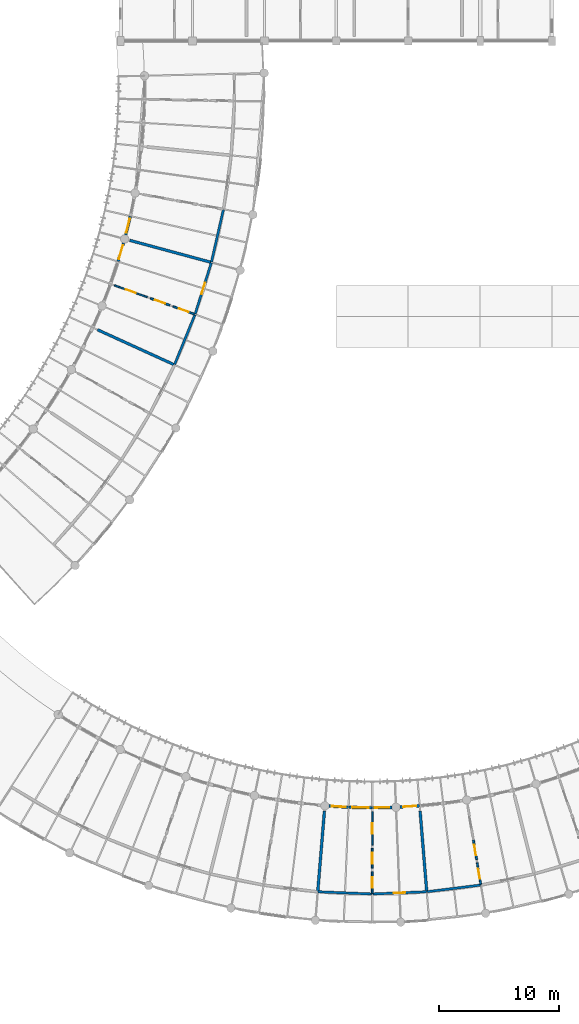
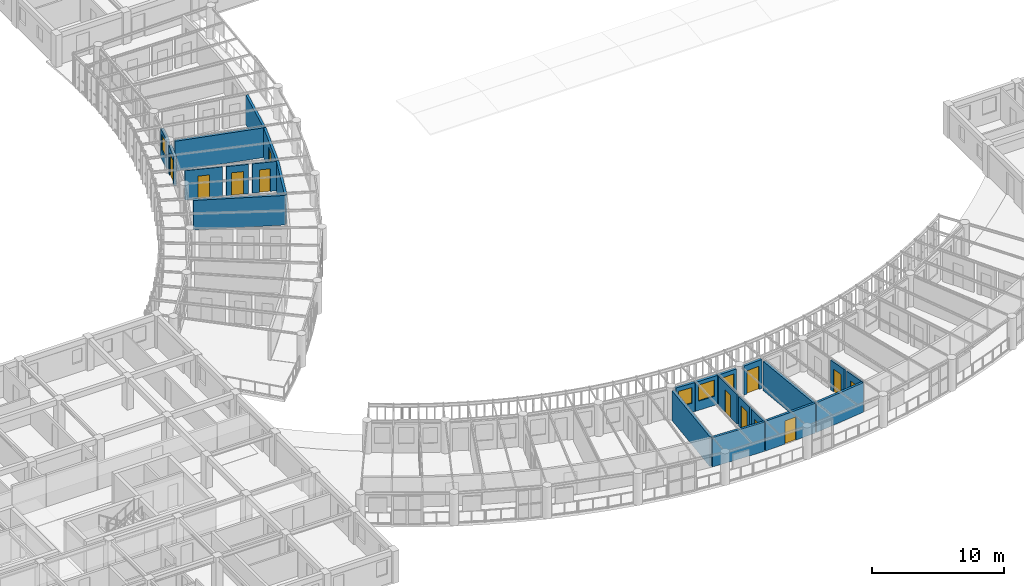
# One storey, part 61 of 100: 24 walls, 12 doors, 4 windows, 16 openings.
"""IFC4 building model written with IfcOpenShell, lengths in metres."""

from ifc_helpers import new_model, si_unit, direction, frame, frame_2d, origin, place, context, subcontext, project, spatial, rectangle, extrude, material, layer, layer_set, type_object, element, fill, save


model = new_model("IFC4")

# Units and contexts
model_context = context("Model", 3, precision=1e-05, world=origin(), true_north=direction((0.0, 1.0)))
body_context = subcontext(model_context, "Body", "Model", "MODEL_VIEW")
ifc_project = project(units=[si_unit("LENGTHUNIT", "METRE"), si_unit("AREAUNIT", "SQUARE_METRE"), si_unit("VOLUMEUNIT", "CUBIC_METRE"), si_unit("PLANEANGLEUNIT", "RADIAN"), si_unit("MASSUNIT", "GRAM", prefix="KILO"), si_unit("POWERUNIT", "WATT"), si_unit("THERMODYNAMICTEMPERATUREUNIT", "KELVIN")], contexts=[model_context])

# Site, building, storey
site_placement = place(None, origin())
site = spatial("IfcSite", under=ifc_project, at=site_placement, CompositionType="ELEMENT")
building_placement = place(site_placement, origin())
building = spatial("IfcBuilding", under=site, at=building_placement, Name="Ruvembo Vaulted Housing Court", CompositionType="ELEMENT")
storey_placement = place(building_placement, frame((0.0, 0.0, 10.89990234375)))
storey = spatial("IfcBuildingStorey", under=building, at=storey_placement, Name="L03", CompositionType="ELEMENT", Elevation=10.89990234375)

# Wall
ifc_material_1 = material(Name="Concrete Blockwork 200", Category="masonry")
ifc_layer_1 = layer(ifc_material_1, 0.199951171875, Name="Concrete Blockwork 200")
ifc_layer_set_1 = layer_set([ifc_layer_1], Name="Concrete Blockwork 200")
wall_type_1 = type_object("IfcWallType", Name="WL-CORR-200", PredefinedType="SOLIDWALL", material=ifc_layer_set_1)
wall_1_placement = place(storey_placement, frame((52.50927734375, 51.00244140625, 0.0), z_axis=(0.0, 0.0, 1.0), x_axis=(0.377413192487, 0.926044967665, 0.0)))
element("IfcWall", 1, at=wall_1_placement, inside=storey, type_object=wall_type_1, Name="L03 Suite SC1-L03-U3 Gallery Wall WL-INT-L03-00987", PredefinedType="SOLIDWALL", context=body_context, shape_type="SweptSolid", body=[
    extrude(rectangle(XDim=4.46728515625, YDim=0.199951171875, at=frame_2d((2.233642578125, 0.0))), origin(), (0.0, 0.0, 1.0), 2.76220703125),
])

# Wall, opening, door
wall_2_placement = place(storey_placement, frame((54.222412109375, 55.214599609375, 0.0), z_axis=(0.0, 0.0, 1.0), x_axis=(0.300377958446, 0.953820256694, 0.0)))
wall_2 = element("IfcWall", 2, at=wall_2_placement, inside=storey, type_object=wall_type_1, Name="L03 Suite SC1-L03-U3 Entrance WL-INT-L03-00988", PredefinedType="SOLIDWALL", context=body_context, shape_type="SweptSolid", body=[
    extrude(rectangle(XDim=4.467041015625, YDim=0.199951171875, at=frame_2d((2.2333984375, 0.0))), origin(), (0.0, 0.0, 1.0), 2.7421875),
])
opening_1_placement = place(wall_2_placement, frame((1.743408203125, 0.0, 0.0)))
opening_1 = element("IfcOpeningElement", 3, at=opening_1_placement, cuts=wall_2, Name="Opening FD2", PredefinedType="OPENING", context=body_context, shape_type="SweptSolid", body=[
    extrude(rectangle(XDim=0.97998046875, YDim=2.14990234375, at=frame_2d((0.489990234375, 1.074951171875))), frame((0.0, 0.10986328125, 0.0), z_axis=(0.0, -1.0, 0.0), x_axis=(1.0, 0.0, 0.0)), (0.0, 0.0, 1.0), 0.219970703125),
])
ifc_material_2 = material(Name="FSC Hardwood and Engineered Timber", Category="wood")
door_type_1 = type_object("IfcDoorType", Name="DR-FLAT-0980x2150", OperationType="NOTDEFINED", PredefinedType="DOOR", material=ifc_material_2)
door_1_placement = place(opening_1_placement, origin())
door_1 = element("IfcDoor", 4, at=door_1_placement, inside=storey, type_object=door_type_1, Name="L03 Suite SC1-L03-U3 Entrance Door DR-INT-L03-00544", OperationType="SINGLE_SWING_RIGHT", OverallHeight=2.14990234375, OverallWidth=0.97998046875, PredefinedType="DOOR", context=body_context, shape_type="SweptSolid", body=[
    extrude(rectangle(XDim=0.97998046875, YDim=2.14990234375, at=frame_2d((0.489990234375, 1.074951171875))), frame((0.0, 0.02490234375, 0.0), z_axis=(0.0, -1.0, 0.0), x_axis=(1.0, 0.0, 0.0)), (0.0, 0.0, 1.0), 0.050048828125),
])
fill(opening_1, door_1)

# Walls
wall_3_placement = place(storey_placement, frame((55.5849609375, 59.552490234375, 0.0), z_axis=(0.0, 0.0, 1.0), x_axis=(0.221221895428, 0.97522349899, 0.0)))
element("IfcWall", 5, at=wall_3_placement, inside=storey, type_object=wall_type_1, Name="L03 Suite SC1-L03-U4 Gallery Wall WL-INT-L03-00993", PredefinedType="SOLIDWALL", context=body_context, shape_type="SweptSolid", body=[
    extrude(rectangle(XDim=4.46728515625, YDim=0.199951171875, at=frame_2d((2.233642578125, 0.0))), origin(), (0.0, 0.0, 1.0), 2.72216796875),
])
wall_4_placement = place(storey_placement, frame((64.49072265625, 6.986083984375, 0.0), z_axis=(0.0, 0.0, 1.0), x_axis=(0.999148329529, -0.041262762871, 0.0)))
element("IfcWall", 6, at=wall_4_placement, inside=storey, type_object=wall_type_1, Name="L03 Suite SC2-L03-U4 Gallery Wall WL-INT-L03-01022", PredefinedType="SOLIDWALL", context=body_context, shape_type="SweptSolid", body=[
    extrude(rectangle(XDim=4.47314453125, YDim=0.199951171875, at=frame_2d((2.236572265625, 0.0))), origin(), (0.0, 0.0, 1.0), 2.72216796875),
])

# Wall, opening, door
wall_5_placement = place(storey_placement, frame((69.0400390625, 6.801513671875, 0.0), z_axis=(0.0, 0.0, 1.0), x_axis=(0.999148329529, 0.041262762871, 0.0)))
wall_5 = element("IfcWall", 7, at=wall_5_placement, inside=storey, type_object=wall_type_1, Name="L03 Suite SC2-L03-U4 Entrance WL-INT-L03-01023", PredefinedType="SOLIDWALL", context=body_context, shape_type="SweptSolid", body=[
    extrude(rectangle(XDim=4.47314453125, YDim=0.199951171875, at=frame_2d((2.236572265625, 0.0))), origin(), (0.0, 0.0, 1.0), 2.76220703125),
])
opening_2_placement = place(wall_5_placement, frame((1.74658203125, 0.0, 0.0)))
opening_2 = element("IfcOpeningElement", 8, at=opening_2_placement, cuts=wall_5, Name="Opening FD2", PredefinedType="OPENING", context=body_context, shape_type="SweptSolid", body=[
    extrude(rectangle(XDim=0.97998046875, YDim=2.14990234375, at=frame_2d((0.489990234375, 1.074951171875))), frame((0.0, 0.10986328125, 0.0), z_axis=(0.0, -1.0, 0.0), x_axis=(1.0, 0.0, 0.0)), (0.0, 0.0, 1.0), 0.219970703125),
])
door_2_placement = place(opening_2_placement, origin())
door_2 = element("IfcDoor", 9, at=door_2_placement, inside=storey, type_object=door_type_1, Name="L03 Suite SC2-L03-U4 Entrance Door DR-INT-L03-00568", OperationType="SINGLE_SWING_RIGHT", OverallHeight=2.14990234375, OverallWidth=0.97998046875, PredefinedType="DOOR", context=body_context, shape_type="SweptSolid", body=[
    extrude(rectangle(XDim=0.97998046875, YDim=2.14990234375, at=frame_2d((0.489990234375, 1.074951171875))), frame((0.0, 0.02490234375, 0.0), z_axis=(0.0, -1.0, 0.0), x_axis=(1.0, 0.0, 0.0)), (0.0, 0.0, 1.0), 0.050048828125),
])
fill(opening_2, door_2)

# Walls
wall_6_placement = place(storey_placement, frame((73.5888671875, 6.99267578125, 0.0), z_axis=(0.0, 0.0, 1.0), x_axis=(0.992349088432, 0.123463705959, 0.0)))
element("IfcWall", 10, at=wall_6_placement, inside=storey, type_object=wall_type_1, Name="L03 Suite SC2-L03-U5 Gallery Wall WL-INT-L03-01028", PredefinedType="SOLIDWALL", context=body_context, shape_type="SweptSolid", body=[
    extrude(rectangle(XDim=4.472900390625, YDim=0.199951171875, at=frame_2d((2.236328125, 0.0))), origin(), (0.0, 0.0, 1.0), 2.7421875),
])
ifc_material_3 = material(Name="Acoustic Masonry Demising 230", Category="masonry")
ifc_layer_2 = layer(ifc_material_3, 0.22998046875, Name="Acoustic Masonry Demising 230")
ifc_layer_set_2 = layer_set([ifc_layer_2], Name="Acoustic Masonry Demising 230")
wall_type_2 = type_object("IfcWallType", Name="WL-DEM-230", PredefinedType="SOLIDWALL", material=ifc_layer_set_2)
wall_7_placement = place(storey_placement, frame((46.07080078125, 53.8955078125, 0.0), z_axis=(0.0, 0.0, 1.0), x_axis=(0.909807068599, -0.415031442095, 0.0)))
element("IfcWall", 11, at=wall_7_placement, inside=storey, type_object=wall_type_2, Name="L03 Suite SC1-L03-U2 Demising WL-INT-L03-00986", PredefinedType="SOLIDWALL", context=body_context, shape_type="SweptSolid", body=[
    extrude(rectangle(XDim=7.02001953125, YDim=0.22998046875, at=frame_2d((3.510009765625, 0.0))), origin(), (0.0, 0.0, 1.0), 2.7421875),
])
wall_8_placement = place(storey_placement, frame((48.7607421875, 61.3564453125, 0.0), z_axis=(0.0, 0.0, 1.0), x_axis=(0.965329768393, -0.26103340448, 0.0)))
element("IfcWall", 12, at=wall_8_placement, inside=storey, type_object=wall_type_2, Name="L03 Suite SC1-L03-U3 Demising WL-INT-L03-00992", PredefinedType="SOLIDWALL", context=body_context, shape_type="SweptSolid", body=[
    extrude(rectangle(XDim=7.020263671875, YDim=0.22998046875, at=frame_2d((3.51025390625, 0.0))), origin(), (0.0, 0.0, 1.0), 2.76220703125),
])
wall_9_placement = place(storey_placement, frame((65.00927734375, 13.74072265625, 0.0), z_axis=(0.0, 0.0, 1.0), x_axis=(-0.082418569382, -0.996597802236, 0.0)))
element("IfcWall", 13, at=wall_9_placement, inside=storey, type_object=wall_type_2, Name="L03 Suite SC2-L03-U3 Demising WL-INT-L03-01021", PredefinedType="SOLIDWALL", context=body_context, shape_type="SweptSolid", body=[
    extrude(rectangle(XDim=6.736083984375, YDim=0.22998046875, at=frame_2d((3.3681640625, 0.0))), origin(), (0.0, 0.0, 1.0), 2.76220703125),
])
wall_10_placement = place(storey_placement, frame((72.99072265625, 13.74072265625, 0.0), z_axis=(0.0, 0.0, 1.0), x_axis=(0.082418569382, -0.996597802236, 0.0)))
element("IfcWall", 14, at=wall_10_placement, inside=storey, type_object=wall_type_2, Name="L03 Suite SC2-L03-U4 Demising WL-INT-L03-01027", PredefinedType="SOLIDWALL", context=body_context, shape_type="SweptSolid", body=[
    extrude(rectangle(XDim=6.736083984375, YDim=0.22998046875, at=frame_2d((3.3681640625, 0.0))), origin(), (0.0, 0.0, 1.0), 2.72216796875),
])

# Wall, opening, door
ifc_material_4 = material(Name="Rendered Masonry 235", Category="masonry")
ifc_layer_3 = layer(ifc_material_4, 0.235107421875, Name="Rendered Masonry 235")
ifc_layer_set_3 = layer_set([ifc_layer_3], Name="Rendered Masonry 235")
wall_type_3 = type_object("IfcWallType", Name="WL-EXT-235", PredefinedType="STANDARD", material=ifc_layer_set_3)
wall_11_placement = place(storey_placement, frame((47.78955078125, 59.602783203125, 0.0), z_axis=(0.0, 0.0, 1.0), x_axis=(0.28073386291, 0.959785652224, 0.0)))
wall_11 = element("IfcWall", 15, at=wall_11_placement, inside=storey, type_object=wall_type_3, Name="Scoop SC1 L03 Concave Balcony Wall 11", PredefinedType="STANDARD", context=body_context, shape_type="SweptSolid", body=[
    extrude(rectangle(XDim=1.5966796875, YDim=0.235107421875, at=frame_2d((0.79833984375, 0.0))), origin(), (0.0, 0.0, 1.0), 2.68408203125),
])
opening_3_placement = place(wall_11_placement, frame((0.198486328125, 0.0, 0.0)))
opening_3 = element("IfcOpeningElement", 16, at=opening_3_placement, cuts=wall_11, Name="Opening BD2", PredefinedType="OPENING", context=body_context, shape_type="SweptSolid", body=[
    extrude(rectangle(XDim=1.199951171875, YDim=2.14990234375, at=frame_2d((0.60009765625, 1.074951171875))), frame((0.0, 0.12744140625, 0.0), z_axis=(0.0, -1.0, 0.0), x_axis=(1.0, 0.0, 0.0)), (0.0, 0.0, 1.0), 0.255126953125),
])
ifc_material_5 = material(Name="Thermally Broken Glazed Aluminium", Category="aluminium")
door_type_2 = type_object("IfcDoorType", Name="DR-BAL-1200x2150", OperationType="NOTDEFINED", PredefinedType="DOOR", material=ifc_material_5)
door_3_placement = place(opening_3_placement, origin())
door_3 = element("IfcDoor", 17, at=door_3_placement, inside=storey, type_object=door_type_2, Name="Scoop SC1 L03 Balcony Door 11", OperationType="SINGLE_SWING_RIGHT", OverallHeight=2.14990234375, OverallWidth=1.199951171875, PredefinedType="DOOR", context=body_context, shape_type="SweptSolid", body=[
    extrude(rectangle(XDim=1.199951171875, YDim=2.14990234375, at=frame_2d((0.60009765625, 1.074951171875))), frame((0.0, 0.02490234375, 0.0), z_axis=(0.0, -1.0, 0.0), x_axis=(1.0, 0.0, 0.0)), (0.0, 0.0, 1.0), 0.050048828125),
])
fill(opening_3, door_3)

# Wall, opening, window
wall_12_placement = place(storey_placement, frame((48.42041015625, 61.810791015625, 0.0), z_axis=(0.0, 0.0, 1.0), x_axis=(0.241240447943, 0.970465376135, 0.0)))
wall_12 = element("IfcWall", 18, at=wall_12_placement, inside=storey, type_object=wall_type_3, Name="Scoop SC1 L03 Concave Balcony Wall 12", PredefinedType="STANDARD", context=body_context, shape_type="SweptSolid", body=[
    extrude(rectangle(XDim=1.596923828125, YDim=0.235107421875, at=frame_2d((0.79833984375, 0.0))), origin(), (0.0, 0.0, 1.0), 2.68408203125),
])
opening_4_placement = place(wall_12_placement, frame((0.198486328125, 0.0, 0.85009765625)))
opening_4 = element("IfcOpeningElement", 19, at=opening_4_placement, cuts=wall_12, Name="Opening W14", PredefinedType="OPENING", context=body_context, shape_type="SweptSolid", body=[
    extrude(rectangle(XDim=1.199951171875, YDim=1.5, at=frame_2d((0.60009765625, 0.75))), frame((0.0, 0.12744140625, 0.0), z_axis=(0.0, -1.0, 0.0), x_axis=(1.0, 0.0, 0.0)), (0.0, 0.0, 1.0), 0.255126953125),
])
ifc_material_6 = material(Name="Double Solar-Control Glazing in Aluminium Frame", Category="aluminium")
window_type_1 = type_object("IfcWindowType", Name="WIN-1200x1500", PartitioningType="SINGLE_PANEL", PredefinedType="WINDOW", material=ifc_material_6)
window_1_placement = place(opening_4_placement, origin())
window_1 = element("IfcWindow", 20, at=window_1_placement, inside=storey, type_object=window_type_1, Name="Scoop SC1 L03 Concave Window 12", OverallHeight=1.5, OverallWidth=1.199951171875, PartitioningType="SINGLE_PANEL", PredefinedType="WINDOW", context=body_context, shape_type="SweptSolid", body=[
    extrude(rectangle(XDim=1.199951171875, YDim=1.5, at=frame_2d((0.60009765625, 0.75))), frame((0.0, 0.030029296875, 0.0), z_axis=(0.0, -1.0, 0.0), x_axis=(1.0, 0.0, 0.0)), (0.0, 0.0, 1.0), 0.06005859375),
])
fill(opening_4, window_1)

wall_13_placement = place(storey_placement, frame((65.3935546875, 14.1416015625, 0.0), z_axis=(0.0, 0.0, 1.0), x_axis=(0.998084310064, -0.061868489594, 0.0)))
wall_13 = element("IfcWall", 21, at=wall_13_placement, inside=storey, type_object=wall_type_3, Name="Scoop SC2 L03 Concave Balcony Wall 12", PredefinedType="STANDARD", context=body_context, shape_type="SweptSolid", body=[
    extrude(rectangle(XDim=1.610107421875, YDim=0.235107421875, at=frame_2d((0.80517578125, 0.0))), origin(), (0.0, 0.0, 1.0), 2.68408203125),
])
opening_5_placement = place(wall_13_placement, frame((0.22998046875, 0.0, 0.85009765625)))
opening_5 = element("IfcOpeningElement", 22, at=opening_5_placement, cuts=wall_13, Name="Opening W11", PredefinedType="OPENING", context=body_context, shape_type="SweptSolid", body=[
    extrude(rectangle(XDim=1.14990234375, YDim=1.449951171875, at=frame_2d((0.574951171875, 0.72509765625))), frame((0.0, 0.12744140625, 0.0), z_axis=(0.0, -1.0, 0.0), x_axis=(1.0, 0.0, 0.0)), (0.0, 0.0, 1.0), 0.255126953125),
])
window_type_2 = type_object("IfcWindowType", Name="WIN-1150x1450", PartitioningType="SINGLE_PANEL", PredefinedType="WINDOW", material=ifc_material_6)
window_2_placement = place(opening_5_placement, origin())
window_2 = element("IfcWindow", 23, at=window_2_placement, inside=storey, type_object=window_type_2, Name="Scoop SC2 L03 Concave Window 12", OverallHeight=1.449951171875, OverallWidth=1.14990234375, PartitioningType="SINGLE_PANEL", PredefinedType="WINDOW", context=body_context, shape_type="SweptSolid", body=[
    extrude(rectangle(XDim=1.14990234375, YDim=1.449951171875, at=frame_2d((0.574951171875, 0.72509765625))), frame((0.0, 0.030029296875, 0.0), z_axis=(0.0, -1.0, 0.0), x_axis=(1.0, 0.0, 0.0)), (0.0, 0.0, 1.0), 0.06005859375),
])
fill(opening_5, window_2)

wall_14_placement = place(storey_placement, frame((67.040283203125, 14.040283203125, 0.0), z_axis=(0.0, 0.0, 1.0), x_axis=(0.999789612304, -0.020511731505, 0.0)))
wall_14 = element("IfcWall", 24, at=wall_14_placement, inside=storey, type_object=wall_type_3, Name="Scoop SC2 L03 Concave Balcony Wall 13", PredefinedType="STANDARD", context=body_context, shape_type="SweptSolid", body=[
    extrude(rectangle(XDim=1.940185546875, YDim=0.235107421875, at=frame_2d((0.97021484375, 0.0))), origin(), (0.0, 0.0, 1.0), 2.68408203125),
])
opening_6_placement = place(wall_14_placement, frame((0.27001953125, 0.0, 0.85009765625)))
opening_6 = element("IfcOpeningElement", 25, at=opening_6_placement, cuts=wall_14, Name="Opening W17", PredefinedType="OPENING", context=body_context, shape_type="SweptSolid", body=[
    extrude(rectangle(XDim=1.39990234375, YDim=1.5, at=frame_2d((0.699951171875, 0.75))), frame((0.0, 0.12744140625, 0.0), z_axis=(0.0, -1.0, 0.0), x_axis=(1.0, 0.0, 0.0)), (0.0, 0.0, 1.0), 0.255126953125),
])
window_type_3 = type_object("IfcWindowType", Name="WIN-1400x1500", PartitioningType="SINGLE_PANEL", PredefinedType="WINDOW", material=ifc_material_6)
window_3_placement = place(opening_6_placement, origin())
window_3 = element("IfcWindow", 26, at=window_3_placement, inside=storey, type_object=window_type_3, Name="Scoop SC2 L03 Concave Window 13", OverallHeight=1.5, OverallWidth=1.39990234375, PartitioningType="SINGLE_PANEL", PredefinedType="WINDOW", context=body_context, shape_type="SweptSolid", body=[
    extrude(rectangle(XDim=1.39990234375, YDim=1.5, at=frame_2d((0.699951171875, 0.75))), frame((0.0, 0.030029296875, 0.0), z_axis=(0.0, -1.0, 0.0), x_axis=(1.0, 0.0, 0.0)), (0.0, 0.0, 1.0), 0.06005859375),
])
fill(opening_6, window_3)

wall_15_placement = place(storey_placement, frame((69.02001953125, 14.00048828125, 0.0), z_axis=(0.0, 0.0, 1.0), x_axis=(0.999787311946, 0.020623551407, 0.0)))
wall_15 = element("IfcWall", 27, at=wall_15_placement, inside=storey, type_object=wall_type_3, Name="Scoop SC2 L03 Concave Balcony Wall 14", PredefinedType="STANDARD", context=body_context, shape_type="SweptSolid", body=[
    extrude(rectangle(XDim=1.60986328125, YDim=0.235107421875, at=frame_2d((0.804931640625, 0.0))), origin(), (0.0, 0.0, 1.0), 2.68408203125),
])
opening_7_placement = place(wall_15_placement, frame((0.205078125, 0.0, 0.85009765625)))
opening_7 = element("IfcOpeningElement", 28, at=opening_7_placement, cuts=wall_15, Name="Opening W13", PredefinedType="OPENING", context=body_context, shape_type="SweptSolid", body=[
    extrude(rectangle(XDim=1.199951171875, YDim=1.449951171875, at=frame_2d((0.60009765625, 0.72509765625))), frame((0.0, 0.12744140625, 0.0), z_axis=(0.0, -1.0, 0.0), x_axis=(1.0, 0.0, 0.0)), (0.0, 0.0, 1.0), 0.255126953125),
])
window_type_4 = type_object("IfcWindowType", Name="WIN-1200x1450", PartitioningType="SINGLE_PANEL", PredefinedType="WINDOW", material=ifc_material_6)
window_4_placement = place(opening_7_placement, origin())
window_4 = element("IfcWindow", 29, at=window_4_placement, inside=storey, type_object=window_type_4, Name="Scoop SC2 L03 Concave Window 14", OverallHeight=1.449951171875, OverallWidth=1.199951171875, PartitioningType="SINGLE_PANEL", PredefinedType="WINDOW", context=body_context, shape_type="SweptSolid", body=[
    extrude(rectangle(XDim=1.199951171875, YDim=1.449951171875, at=frame_2d((0.60009765625, 0.72509765625))), frame((0.0, 0.030029296875, 0.0), z_axis=(0.0, -1.0, 0.0), x_axis=(1.0, 0.0, 0.0)), (0.0, 0.0, 1.0), 0.06005859375),
])
fill(opening_7, window_4)

# Wall, opening, door
wall_16_placement = place(storey_placement, frame((71.328857421875, 14.0625, 0.0), z_axis=(0.0, 0.0, 1.0), x_axis=(0.998084310064, 0.061868489594, 0.0)))
wall_16 = element("IfcWall", 30, at=wall_16_placement, inside=storey, type_object=wall_type_3, Name="Scoop SC2 L03 Concave Balcony Wall 15", PredefinedType="STANDARD", context=body_context, shape_type="SweptSolid", body=[
    extrude(rectangle(XDim=1.610107421875, YDim=0.235107421875, at=frame_2d((0.80517578125, 0.0))), origin(), (0.0, 0.0, 1.0), 2.68408203125),
])
opening_8_placement = place(wall_16_placement, frame((0.2548828125, 0.0, 0.0)))
opening_8 = element("IfcOpeningElement", 31, at=opening_8_placement, cuts=wall_16, Name="Opening BD3", PredefinedType="OPENING", context=body_context, shape_type="SweptSolid", body=[
    extrude(rectangle(XDim=1.10009765625, YDim=2.14990234375, at=frame_2d((0.550048828125, 1.074951171875))), frame((0.0, 0.12744140625, 0.0), z_axis=(0.0, -1.0, 0.0), x_axis=(1.0, 0.0, 0.0)), (0.0, 0.0, 1.0), 0.255126953125),
])
door_type_3 = type_object("IfcDoorType", Name="DR-BAL-1100x2150", OperationType="NOTDEFINED", PredefinedType="DOOR", material=ifc_material_5)
door_4_placement = place(opening_8_placement, origin())
door_4 = element("IfcDoor", 32, at=door_4_placement, inside=storey, type_object=door_type_3, Name="Scoop SC2 L03 Balcony Door 15", OperationType="SINGLE_SWING_LEFT", OverallHeight=2.14990234375, OverallWidth=1.10009765625, PredefinedType="DOOR", context=body_context, shape_type="SweptSolid", body=[
    extrude(rectangle(XDim=1.10009765625, YDim=2.14990234375, at=frame_2d((0.550048828125, 1.074951171875))), frame((0.0, 0.02490234375, 0.0), z_axis=(0.0, -1.0, 0.0), x_axis=(1.0, 0.0, 0.0)), (0.0, 0.0, 1.0), 0.050048828125),
])
fill(opening_8, door_4)

ifc_material_7 = material(Name="Plasterboard Stud Partition 125", Category="gypsum")
ifc_layer_4 = layer(ifc_material_7, 0.125, Name="Plasterboard Stud Partition 125")
ifc_layer_set_4 = layer_set([ifc_layer_4], Name="Plasterboard Stud Partition 125")
wall_type_4 = type_object("IfcWallType", Name="WL-PART-125", PredefinedType="PARTITIONING", material=ifc_layer_set_4)
wall_17_placement = place(storey_placement, frame((47.474609375, 57.604736328125, 0.0), z_axis=(0.0, 0.0, 1.0), x_axis=(0.940746643475, -0.33911023693, 0.0)))
wall_17 = element("IfcWall", 33, at=wall_17_placement, inside=storey, type_object=wall_type_4, Name="L03 Suite SC1-L03-U3 Bedroom WL-INT-L03-00989", PredefinedType="PARTITIONING", context=body_context, shape_type="SweptSolid", body=[
    extrude(rectangle(XDim=2.920166015625, YDim=0.125, at=frame_2d((1.4599609375, 0.0))), origin(), (0.0, 0.0, 1.0), 2.72216796875),
])
opening_9_placement = place(wall_17_placement, frame((1.02001953125, 0.0, 0.0)))
opening_9 = element("IfcOpeningElement", 34, at=opening_9_placement, cuts=wall_17, Name="Opening ID3", PredefinedType="OPENING", context=body_context, shape_type="SweptSolid", body=[
    extrude(rectangle(XDim=0.8798828125, YDim=2.10009765625, at=frame_2d((0.43994140625, 1.050048828125))), frame((0.0, 0.072509765625, 0.0), z_axis=(0.0, -1.0, 0.0), x_axis=(1.0, 0.0, 0.0)), (0.0, 0.0, 1.0), 0.14501953125),
])
door_type_4 = type_object("IfcDoorType", Name="DR-ROOM-0880x2100", OperationType="NOTDEFINED", PredefinedType="DOOR", material=ifc_material_2)
door_5_placement = place(opening_9_placement, origin())
door_5 = element("IfcDoor", 35, at=door_5_placement, inside=storey, type_object=door_type_4, Name="L03 Suite SC1-L03-U3 Bedroom Door DR-INT-L03-00545", OperationType="SINGLE_SWING_LEFT", OverallHeight=2.10009765625, OverallWidth=0.8798828125, PredefinedType="DOOR", context=body_context, shape_type="SweptSolid", body=[
    extrude(rectangle(XDim=0.8798828125, YDim=2.10009765625, at=frame_2d((0.43994140625, 1.050048828125))), frame((0.0, 0.02490234375, 0.0), z_axis=(0.0, -1.0, 0.0), x_axis=(1.0, 0.0, 0.0)), (0.0, 0.0, 1.0), 0.050048828125),
])
fill(opening_9, door_5)

wall_18_placement = place(storey_placement, frame((69.0, 13.672119140625, 0.0), z_axis=(0.0, 0.0, 1.0), x_axis=(0.0, -1.0, 0.0)))
wall_18 = element("IfcWall", 36, at=wall_18_placement, inside=storey, type_object=wall_type_4, Name="L03 Suite SC2-L03-U4 Bedroom WL-INT-L03-01024", PredefinedType="PARTITIONING", context=body_context, shape_type="SweptSolid", body=[
    extrude(rectangle(XDim=2.800048828125, YDim=0.125, at=frame_2d((1.39990234375, 0.0))), origin(), (0.0, 0.0, 1.0), 2.7421875),
])
opening_10_placement = place(wall_18_placement, frame((0.9599609375, 0.0, 0.0)))
opening_10 = element("IfcOpeningElement", 37, at=opening_10_placement, cuts=wall_18, Name="Opening ID3", PredefinedType="OPENING", context=body_context, shape_type="SweptSolid", body=[
    extrude(rectangle(XDim=0.8798828125, YDim=2.10009765625, at=frame_2d((0.43994140625, 1.050048828125))), frame((0.0, 0.072509765625, 0.0), z_axis=(0.0, -1.0, 0.0), x_axis=(1.0, 0.0, 0.0)), (0.0, 0.0, 1.0), 0.14501953125),
])
door_6_placement = place(opening_10_placement, origin())
door_6 = element("IfcDoor", 38, at=door_6_placement, inside=storey, type_object=door_type_4, Name="L03 Suite SC2-L03-U4 Bedroom Door DR-INT-L03-00569", OperationType="SINGLE_SWING_LEFT", OverallHeight=2.10009765625, OverallWidth=0.8798828125, PredefinedType="DOOR", context=body_context, shape_type="SweptSolid", body=[
    extrude(rectangle(XDim=0.8798828125, YDim=2.10009765625, at=frame_2d((0.43994140625, 1.050048828125))), frame((0.0, 0.02490234375, 0.0), z_axis=(0.0, -1.0, 0.0), x_axis=(1.0, 0.0, 0.0)), (0.0, 0.0, 1.0), 0.050048828125),
])
fill(opening_10, door_6)

ifc_material_8 = material(Name="Moisture-Resistant Wet Partition 150", Category="gypsum")
ifc_layer_5 = layer(ifc_material_8, 0.14990234375, Name="Moisture-Resistant Wet Partition 150")
ifc_layer_set_5 = layer_set([ifc_layer_5], Name="Moisture-Resistant Wet Partition 150")
wall_type_5 = type_object("IfcWallType", Name="WL-PART-150", PredefinedType="PARTITIONING", material=ifc_layer_set_5)
wall_19_placement = place(storey_placement, frame((52.366455078125, 55.841064453125, 0.0), z_axis=(0.0, 0.0, 1.0), x_axis=(0.94073656273, -0.339138201244, 0.0)))
wall_19 = element("IfcWall", 39, at=wall_19_placement, inside=storey, type_object=wall_type_5, Name="L03 Suite SC1-L03-U3 Bathroom WL-INT-L03-00991", PredefinedType="PARTITIONING", context=body_context, shape_type="SweptSolid", body=[
    extrude(rectangle(XDim=1.919921875, YDim=0.14990234375, at=frame_2d((0.9599609375, 0.0))), origin(), (0.0, 0.0, 1.0), 2.72216796875),
])
opening_11_placement = place(wall_19_placement, frame((0.534912109375, 0.0, 0.0)))
opening_11 = element("IfcOpeningElement", 40, at=opening_11_placement, cuts=wall_19, Name="Opening ID2", PredefinedType="OPENING", context=body_context, shape_type="SweptSolid", body=[
    extrude(rectangle(XDim=0.85009765625, YDim=2.10009765625, at=frame_2d((0.425048828125, 1.050048828125))), frame((0.0, 0.0849609375, 0.0), z_axis=(0.0, -1.0, 0.0), x_axis=(1.0, 0.0, 0.0)), (0.0, 0.0, 1.0), 0.169921875),
])
door_type_5 = type_object("IfcDoorType", Name="DR-WET-0850x2100", OperationType="NOTDEFINED", PredefinedType="DOOR", material=ifc_material_2)
door_7_placement = place(opening_11_placement, origin())
door_7 = element("IfcDoor", 41, at=door_7_placement, inside=storey, type_object=door_type_5, Name="L03 Suite SC1-L03-U3 Bathroom Door DR-INT-L03-00547", OperationType="SINGLE_SWING_LEFT", OverallHeight=2.10009765625, OverallWidth=0.85009765625, PredefinedType="DOOR", context=body_context, shape_type="SweptSolid", body=[
    extrude(rectangle(XDim=0.85009765625, YDim=2.10009765625, at=frame_2d((0.425048828125, 1.050048828125))), frame((0.0, 0.02490234375, 0.0), z_axis=(0.0, -1.0, 0.0), x_axis=(1.0, 0.0, 0.0)), (0.0, 0.0, 1.0), 0.050048828125),
])
fill(opening_11, door_7)

wall_20_placement = place(storey_placement, frame((69.0, 8.679931640625, 0.0), z_axis=(0.0, 0.0, 1.0), x_axis=(0.0, -1.0, 0.0)))
wall_20 = element("IfcWall", 42, at=wall_20_placement, inside=storey, type_object=wall_type_5, Name="L03 Suite SC2-L03-U4 Bathroom WL-INT-L03-01026", PredefinedType="PARTITIONING", context=body_context, shape_type="SweptSolid", body=[
    extrude(rectangle(XDim=1.83984375, YDim=0.14990234375, at=frame_2d((0.919921875, 0.0))), origin(), (0.0, 0.0, 1.0), 2.7421875),
])
opening_12_placement = place(wall_20_placement, frame((0.4951171875, 0.0, 0.0)))
opening_12 = element("IfcOpeningElement", 43, at=opening_12_placement, cuts=wall_20, Name="Opening ID2", PredefinedType="OPENING", context=body_context, shape_type="SweptSolid", body=[
    extrude(rectangle(XDim=0.85009765625, YDim=2.10009765625, at=frame_2d((0.425048828125, 1.050048828125))), frame((0.0, 0.0849609375, 0.0), z_axis=(0.0, -1.0, 0.0), x_axis=(1.0, 0.0, 0.0)), (0.0, 0.0, 1.0), 0.169921875),
])
door_8_placement = place(opening_12_placement, origin())
door_8 = element("IfcDoor", 44, at=door_8_placement, inside=storey, type_object=door_type_5, Name="L03 Suite SC2-L03-U4 Bathroom Door DR-INT-L03-00571", OperationType="SINGLE_SWING_LEFT", OverallHeight=2.10009765625, OverallWidth=0.85009765625, PredefinedType="DOOR", context=body_context, shape_type="SweptSolid", body=[
    extrude(rectangle(XDim=0.85009765625, YDim=2.10009765625, at=frame_2d((0.425048828125, 1.050048828125))), frame((0.0, 0.02490234375, 0.0), z_axis=(0.0, -1.0, 0.0), x_axis=(1.0, 0.0, 0.0)), (0.0, 0.0, 1.0), 0.050048828125),
])
fill(opening_12, door_8)

wall_21_placement = place(storey_placement, frame((77.758544921875, 9.404296875, 0.0), z_axis=(0.0, 0.0, 1.0), x_axis=(0.164269882379, -0.986415432636, 0.0)))
wall_21 = element("IfcWall", 45, at=wall_21_placement, inside=storey, type_object=wall_type_5, Name="L03 Suite SC2-L03-U5 Bathroom WL-INT-L03-01032", PredefinedType="PARTITIONING", context=body_context, shape_type="SweptSolid", body=[
    extrude(rectangle(XDim=1.83984375, YDim=0.14990234375, at=frame_2d((0.919921875, 0.0))), origin(), (0.0, 0.0, 1.0), 2.76220703125),
])
opening_13_placement = place(wall_21_placement, frame((0.494873046875, 0.0, 0.0)))
opening_13 = element("IfcOpeningElement", 46, at=opening_13_placement, cuts=wall_21, Name="Opening ID2", PredefinedType="OPENING", context=body_context, shape_type="SweptSolid", body=[
    extrude(rectangle(XDim=0.85009765625, YDim=2.10009765625, at=frame_2d((0.425048828125, 1.050048828125))), frame((0.0, 0.0849609375, 0.0), z_axis=(0.0, -1.0, 0.0), x_axis=(1.0, 0.0, 0.0)), (0.0, 0.0, 1.0), 0.169921875),
])
door_9_placement = place(opening_13_placement, origin())
door_9 = element("IfcDoor", 47, at=door_9_placement, inside=storey, type_object=door_type_5, Name="L03 Suite SC2-L03-U5 Bathroom Door DR-INT-L03-00575", OperationType="SINGLE_SWING_LEFT", OverallHeight=2.10009765625, OverallWidth=0.85009765625, PredefinedType="DOOR", context=body_context, shape_type="SweptSolid", body=[
    extrude(rectangle(XDim=0.85009765625, YDim=2.10009765625, at=frame_2d((0.425048828125, 1.050048828125))), frame((0.0, 0.02490234375, 0.0), z_axis=(0.0, -1.0, 0.0), x_axis=(1.0, 0.0, 0.0)), (0.0, 0.0, 1.0), 0.050048828125),
])
fill(opening_13, door_9)

ifc_material_9 = material(Name="Acoustic Service Chase Wall 160", Category="gypsum")
ifc_layer_6 = layer(ifc_material_9, 0.159912109375, Name="Acoustic Service Chase Wall 160")
ifc_layer_set_6 = layer_set([ifc_layer_6], Name="Acoustic Service Chase Wall 160")
wall_type_6 = type_object("IfcWallType", Name="WL-PLUMB-160", PredefinedType="PLUMBINGWALL", material=ifc_layer_set_6)
wall_22_placement = place(storey_placement, frame((50.485107421875, 56.519287109375, 0.0), z_axis=(0.0, 0.0, 1.0), x_axis=(0.940738931862, -0.339131629428, 0.0)))
wall_22 = element("IfcWall", 48, at=wall_22_placement, inside=storey, type_object=wall_type_6, Name="L03 Suite SC1-L03-U3 Kitchen WL-INT-L03-00990", PredefinedType="PLUMBINGWALL", context=body_context, shape_type="SweptSolid", body=[
    extrude(rectangle(XDim=1.7197265625, YDim=0.159912109375, at=frame_2d((0.85986328125, 0.0))), origin(), (0.0, 0.0, 1.0), 2.72216796875),
])
opening_14_placement = place(wall_22_placement, frame((0.409912109375, 0.0, 0.0)))
opening_14 = element("IfcOpeningElement", 49, at=opening_14_placement, cuts=wall_22, Name="Opening ID1", PredefinedType="OPENING", context=body_context, shape_type="SweptSolid", body=[
    extrude(rectangle(XDim=0.89990234375, YDim=2.10009765625, at=frame_2d((0.449951171875, 1.050048828125))), frame((0.0, 0.08984375, 0.0), z_axis=(0.0, -1.0, 0.0), x_axis=(1.0, 0.0, 0.0)), (0.0, 0.0, 1.0), 0.179931640625),
])
door_type_6 = type_object("IfcDoorType", Name="DR-ROOM-0900x2100", OperationType="NOTDEFINED", PredefinedType="DOOR", material=ifc_material_2)
door_10_placement = place(opening_14_placement, origin())
door_10 = element("IfcDoor", 50, at=door_10_placement, inside=storey, type_object=door_type_6, Name="L03 Suite SC1-L03-U3 Kitchen Door DR-INT-L03-00546", OperationType="SINGLE_SWING_RIGHT", OverallHeight=2.10009765625, OverallWidth=0.89990234375, PredefinedType="DOOR", context=body_context, shape_type="SweptSolid", body=[
    extrude(rectangle(XDim=0.89990234375, YDim=2.10009765625, at=frame_2d((0.449951171875, 1.050048828125))), frame((0.0, 0.02490234375, 0.0), z_axis=(0.0, -1.0, 0.0), x_axis=(1.0, 0.0, 0.0)), (0.0, 0.0, 1.0), 0.050048828125),
])
fill(opening_14, door_10)

wall_23_placement = place(storey_placement, frame((69.0, 10.60009765625, 0.0), z_axis=(0.0, 0.0, 1.0), x_axis=(0.0, -1.0, 0.0)))
wall_23 = element("IfcWall", 51, at=wall_23_placement, inside=storey, type_object=wall_type_6, Name="L03 Suite SC2-L03-U4 Kitchen WL-INT-L03-01025", PredefinedType="PLUMBINGWALL", context=body_context, shape_type="SweptSolid", body=[
    extrude(rectangle(XDim=1.648193359375, YDim=0.159912109375, at=frame_2d((0.82421875, 0.0))), origin(), (0.0, 0.0, 1.0), 2.7421875),
])
opening_15_placement = place(wall_23_placement, frame((0.3740234375, 0.0, 0.0)))
opening_15 = element("IfcOpeningElement", 52, at=opening_15_placement, cuts=wall_23, Name="Opening ID1", PredefinedType="OPENING", context=body_context, shape_type="SweptSolid", body=[
    extrude(rectangle(XDim=0.89990234375, YDim=2.10009765625, at=frame_2d((0.449951171875, 1.050048828125))), frame((0.0, 0.08984375, 0.0), z_axis=(0.0, -1.0, 0.0), x_axis=(1.0, 0.0, 0.0)), (0.0, 0.0, 1.0), 0.179931640625),
])
door_11_placement = place(opening_15_placement, origin())
door_11 = element("IfcDoor", 53, at=door_11_placement, inside=storey, type_object=door_type_6, Name="L03 Suite SC2-L03-U4 Kitchen Door DR-INT-L03-00570", OperationType="SINGLE_SWING_RIGHT", OverallHeight=2.10009765625, OverallWidth=0.89990234375, PredefinedType="DOOR", context=body_context, shape_type="SweptSolid", body=[
    extrude(rectangle(XDim=0.89990234375, YDim=2.10009765625, at=frame_2d((0.449951171875, 1.050048828125))), frame((0.0, 0.02490234375, 0.0), z_axis=(0.0, -1.0, 0.0), x_axis=(1.0, 0.0, 0.0)), (0.0, 0.0, 1.0), 0.050048828125),
])
fill(opening_15, door_11)

wall_24_placement = place(storey_placement, frame((77.443359375, 11.298095703125, 0.0), z_axis=(0.0, 0.0, 1.0), x_axis=(0.164158726706, -0.986433937193, 0.0)))
wall_24 = element("IfcWall", 54, at=wall_24_placement, inside=storey, type_object=wall_type_6, Name="L03 Suite SC2-L03-U5 Kitchen WL-INT-L03-01031", PredefinedType="PLUMBINGWALL", context=body_context, shape_type="SweptSolid", body=[
    extrude(rectangle(XDim=1.64794921875, YDim=0.159912109375, at=frame_2d((0.823974609375, 0.0))), origin(), (0.0, 0.0, 1.0), 2.76220703125),
])
opening_16_placement = place(wall_24_placement, frame((0.373779296875, 0.0, 0.0)))
opening_16 = element("IfcOpeningElement", 55, at=opening_16_placement, cuts=wall_24, Name="Opening ID1", PredefinedType="OPENING", context=body_context, shape_type="SweptSolid", body=[
    extrude(rectangle(XDim=0.89990234375, YDim=2.10009765625, at=frame_2d((0.449951171875, 1.050048828125))), frame((0.0, 0.08984375, 0.0), z_axis=(0.0, -1.0, 0.0), x_axis=(1.0, 0.0, 0.0)), (0.0, 0.0, 1.0), 0.179931640625),
])
door_12_placement = place(opening_16_placement, origin())
door_12 = element("IfcDoor", 56, at=door_12_placement, inside=storey, type_object=door_type_6, Name="L03 Suite SC2-L03-U5 Kitchen Door DR-INT-L03-00574", OperationType="SINGLE_SWING_RIGHT", OverallHeight=2.10009765625, OverallWidth=0.89990234375, PredefinedType="DOOR", context=body_context, shape_type="SweptSolid", body=[
    extrude(rectangle(XDim=0.89990234375, YDim=2.10009765625, at=frame_2d((0.449951171875, 1.050048828125))), frame((0.0, 0.02490234375, 0.0), z_axis=(0.0, -1.0, 0.0), x_axis=(1.0, 0.0, 0.0)), (0.0, 0.0, 1.0), 0.050048828125),
])
fill(opening_16, door_12)

save(model, "model.ifc")
